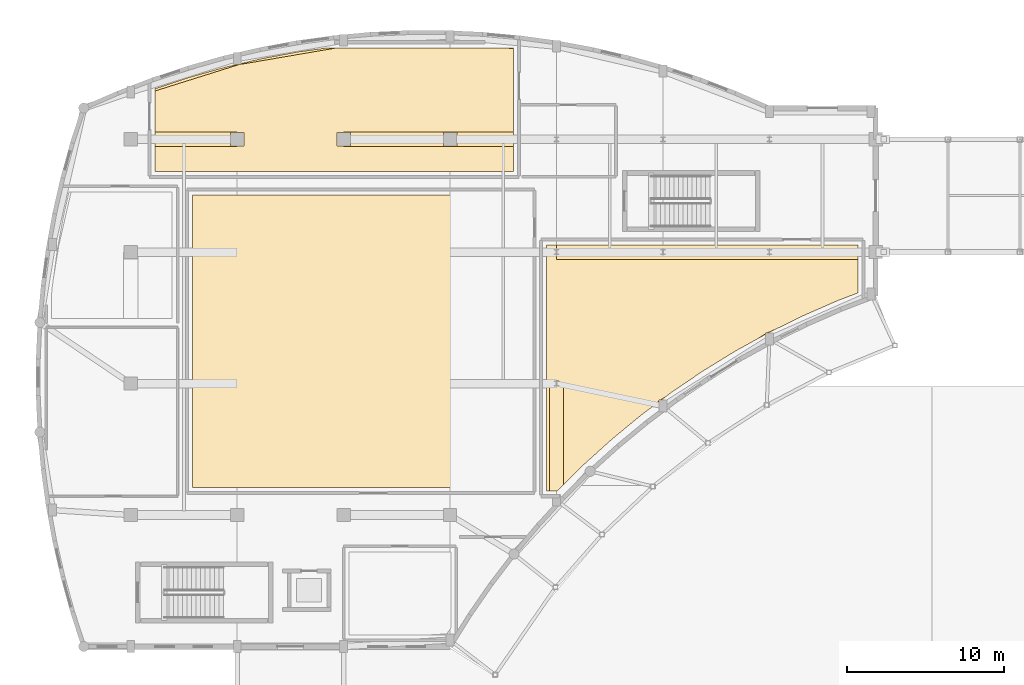
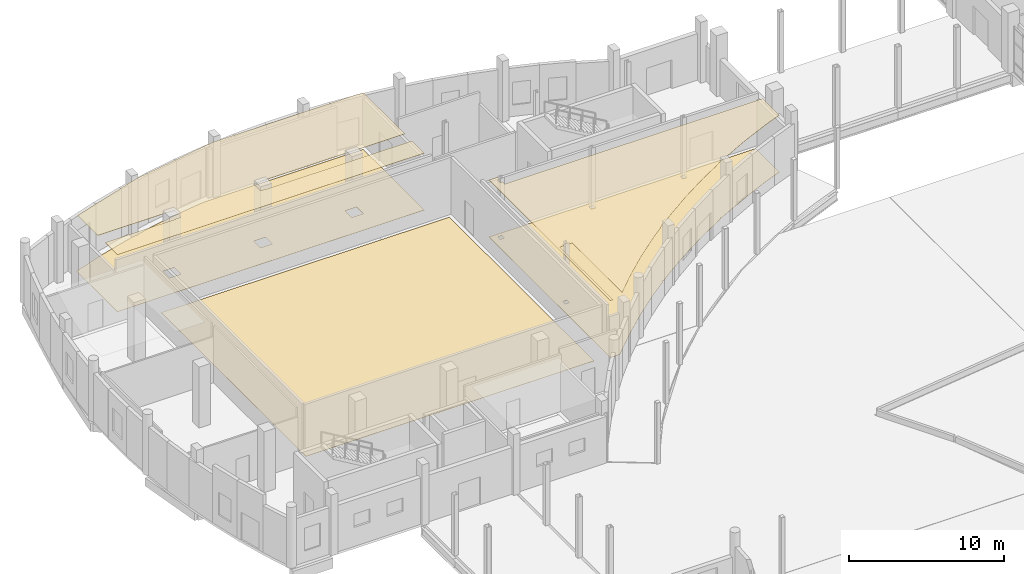
# One storey, part 86 of 97: 5 coverings.
"""IFC4 building model written with IfcOpenShell, lengths in metres."""

from ifc_helpers import new_model, si_unit, direction, frame, origin, place, context, subcontext, project, spatial, polyline, outline, extrude, material, layer, layer_set, type_object, element, save


model = new_model("IFC4")

# Units and contexts
model_context = context("Model", 3, precision=1e-05, world=origin(), true_north=direction((0.0, 1.0)))
body_context = subcontext(model_context, "Body", "Model", "MODEL_VIEW")
ifc_project = project(units=[si_unit("LENGTHUNIT", "METRE"), si_unit("AREAUNIT", "SQUARE_METRE"), si_unit("VOLUMEUNIT", "CUBIC_METRE"), si_unit("PLANEANGLEUNIT", "RADIAN"), si_unit("MASSUNIT", "GRAM", prefix="KILO")], contexts=[model_context])

# Site, building, storey
site_placement = place(None, origin())
site = spatial("IfcSite", under=ifc_project, at=site_placement, CompositionType="ELEMENT")
building_placement = place(site_placement, origin())
building = spatial("IfcBuilding", under=site, at=building_placement, Name="Kisaragi Civic Commons", CompositionType="ELEMENT")
storey_placement = place(building_placement, origin())
storey = spatial("IfcBuildingStorey", under=building, at=storey_placement, Name="L00", CompositionType="ELEMENT", Elevation=0.0)

# Coverings
ifc_material_1 = material(Name="Perforated mineral-fibre & hinoki slat acoustic ceiling")
ifc_layer_1 = layer(ifc_material_1, 0.02490234375, Name="Perforated mineral-fibre & hinoki slat acoustic ceiling")
ifc_layer_set_1 = layer_set([ifc_layer_1], Name="Perforated mineral-fibre & hinoki slat acoustic ceiling")
covering_type_1 = type_object("IfcCoveringType", Name="CLG-02", PredefinedType="CEILING", material=ifc_layer_set_1)
covering_1_placement = place(storey_placement, frame((0.0, 0.0, 4.48291015625)))
element("IfcCovering", 1, at=covering_1_placement, inside=storey, type_object=covering_type_1, Name="Table Tennis and Martial Arts Room acoustic ceiling", PredefinedType="CEILING", context=body_context, shape_type="SweptSolid", body=[
    extrude(outline(polyline([(34.0, 104.85009765625), (33.35009765625, 104.85009765625), (33.35009765625, 89.14990234375), (33.5400390625, 89.14990234375), (33.5400390625, 96.0), (33.844970703125, 96.0), (33.844970703125, 96.155029296875), (34.155029296875, 96.155029296875), (34.155029296875, 96.0), (34.4599609375, 96.0), (34.4599609375, 89.549072265625), (35.738525390625, 90.816650390625), (35.75244140625, 90.829833984375), (37.535888671875, 92.442138671875), (37.550537109375, 92.45458984375), (39.406494140625, 93.983154296875), (39.421630859375, 93.994873046875), (40.201904296875, 94.57958984375), (40.526123046875, 94.870361328125), (40.544921875, 94.849365234375), (40.544921875, 94.945068359375), (40.634033203125, 94.945068359375), (40.988525390625, 95.168701171875), (41.345947265625, 95.436279296875), (41.361572265625, 95.447509765625), (43.3505859375, 96.798583984375), (43.366455078125, 96.80908203125), (45.41552734375, 98.067138671875), (45.431884765625, 98.07666015625), (46.80615234375, 98.835693359375), (47.344970703125, 99.17529296875), (47.344970703125, 99.231201171875), (47.445556640625, 99.231201171875), (48.150634765625, 99.54248046875), (49.709716796875, 100.31201171875), (49.72705078125, 100.320068359375), (51.929931640625, 101.28369140625), (51.947509765625, 101.291015625), (53.202880859375, 101.772705078125), (53.25, 101.79345703125), (53.25, 103.93994140625), (47.60009765625, 103.93994140625), (40.800048828125, 103.93994140625), (34.0, 103.93994140625), (34.0, 104.2451171875), (33.844970703125, 104.2451171875), (33.844970703125, 104.554931640625), (34.0, 104.554931640625), (34.0, 104.85009765625)])), origin(), (0.0, 0.0, 1.0), 0.025146484375),
])
covering_2_placement = place(storey_placement, frame((0.0, 0.0, 4.48291015625)))
element("IfcCovering", 2, at=covering_2_placement, inside=storey, type_object=covering_type_1, Name="Community Judo and Aikido Dojo acoustic ceiling", PredefinedType="CEILING", context=body_context, shape_type="SweptSolid", body=[
    extrude(outline(polyline([(8.35009765625, 111.139892578125), (8.35009765625, 109.550048828125), (31.25, 109.550048828125), (31.25, 111.139892578125), (27.199951171875, 111.139892578125), (20.39990234375, 111.139892578125), (20.39990234375, 111.169921875), (19.969970703125, 111.169921875), (19.969970703125, 112.030029296875), (20.39990234375, 112.030029296875), (20.39990234375, 112.06005859375), (27.199951171875, 112.06005859375), (31.25, 112.06005859375), (31.25, 117.39404296875), (30.657470703125, 117.449951171875), (20.001953125, 117.449951171875), (13.85498046875, 116.39794921875), (13.85498046875, 116.390380859375), (13.81005859375, 116.390380859375), (13.696533203125, 116.370849609375), (8.35009765625, 114.688720703125), (8.35009765625, 112.06005859375), (13.60009765625, 112.06005859375), (13.60009765625, 112.030029296875), (14.030029296875, 112.030029296875), (14.030029296875, 111.169921875), (13.60009765625, 111.169921875), (13.60009765625, 111.139892578125), (8.35009765625, 111.139892578125)])), origin(), (0.0, 0.0, 1.0), 0.025146484375),
])
ifc_material_2 = material(Name="Honed Mino ceramic tile & resilience acoustic flooring")
ifc_layer_2 = layer(ifc_material_2, 0.01611328125, Name="Honed Mino ceramic tile & resilience acoustic flooring")
ifc_layer_set_2 = layer_set([ifc_layer_2], Name="Honed Mino ceramic tile & resilience acoustic flooring")
covering_type_2 = type_object("IfcCoveringType", Name="FLR-02", PredefinedType="FLOORING", material=ifc_layer_set_2)
covering_3_placement = place(storey_placement, origin())
element("IfcCovering", 3, at=covering_3_placement, inside=storey, type_object=covering_type_2, Name="Table Tennis and Martial Arts Room floor finish", PredefinedType="FLOORING", context=body_context, shape_type="SweptSolid", body=[
    extrude(outline(polyline([(33.35009765625, 104.85009765625), (33.35009765625, 89.14990234375), (34.0576171875, 89.14990234375), (35.738525390625, 90.816650390625), (35.75244140625, 90.829833984375), (37.535888671875, 92.442138671875), (37.550537109375, 92.45458984375), (39.406494140625, 93.983154296875), (39.421630859375, 93.994873046875), (40.544921875, 94.83642578125), (40.544921875, 94.945068359375), (40.690185546875, 94.945068359375), (41.345947265625, 95.436279296875), (41.361572265625, 95.447509765625), (43.3505859375, 96.798583984375), (43.366455078125, 96.80908203125), (45.41552734375, 98.067138671875), (45.431884765625, 98.07666015625), (47.344970703125, 99.13330078125), (47.344970703125, 99.231201171875), (47.522705078125, 99.231201171875), (47.53662109375, 99.239013671875), (47.5537109375, 99.247802734375), (49.709716796875, 100.31201171875), (49.72705078125, 100.320068359375), (51.929931640625, 101.28369140625), (51.947509765625, 101.291015625), (53.25, 101.790771484375), (53.25, 104.85009765625), (33.35009765625, 104.85009765625)]), holes=[polyline([(34.155029296875, 95.844970703125), (33.844970703125, 95.844970703125), (33.844970703125, 96.155029296875), (34.155029296875, 96.155029296875), (34.155029296875, 95.844970703125)]), polyline([(34.155029296875, 104.2451171875), (33.844970703125, 104.2451171875), (33.844970703125, 104.554931640625), (34.155029296875, 104.554931640625), (34.155029296875, 104.2451171875)]), polyline([(47.7548828125, 104.2451171875), (47.445068359375, 104.2451171875), (47.445068359375, 104.554931640625), (47.7548828125, 104.554931640625), (47.7548828125, 104.2451171875)]), polyline([(40.955078125, 104.2451171875), (40.64501953125, 104.2451171875), (40.64501953125, 104.554931640625), (40.955078125, 104.554931640625), (40.955078125, 104.2451171875)])]), origin(), (0.0, 0.0, 1.0), 0.01611328125),
])
covering_4_placement = place(storey_placement, origin())
element("IfcCovering", 4, at=covering_4_placement, inside=storey, type_object=covering_type_2, Name="Sports Hall floor finish", PredefinedType="FLOORING", context=body_context, shape_type="SweptSolid", body=[
    extrude(outline(polyline([(32.25, 89.35009765625), (32.25, 108.050048828125), (10.75, 108.050048828125), (10.75, 89.35009765625), (32.25, 89.35009765625)])), origin(), (0.0, 0.0, 1.0), 0.01611328125),
])
covering_5_placement = place(storey_placement, origin())
element("IfcCovering", 5, at=covering_5_placement, inside=storey, type_object=covering_type_2, Name="Community Judo and Aikido Dojo floor finish", PredefinedType="FLOORING", context=body_context, shape_type="SweptSolid", body=[
    extrude(outline(polyline([(8.35009765625, 109.550048828125), (31.25, 109.550048828125), (31.25, 117.449951171875), (19.394287109375, 117.449951171875), (17.50146484375, 117.1884765625), (15.1884765625, 116.76025390625), (13.85498046875, 116.44970703125), (13.85498046875, 116.390380859375), (13.599609375, 116.390380859375), (12.8974609375, 116.226806640625), (10.63330078125, 115.589111328125), (8.400634765625, 114.848388671875), (8.35009765625, 114.8291015625), (8.35009765625, 109.550048828125)]), holes=[polyline([(14.030029296875, 111.169921875), (13.169921875, 111.169921875), (13.169921875, 112.030029296875), (14.030029296875, 112.030029296875), (14.030029296875, 111.169921875)]), polyline([(20.830078125, 111.169921875), (19.969970703125, 111.169921875), (19.969970703125, 112.030029296875), (20.830078125, 112.030029296875), (20.830078125, 111.169921875)]), polyline([(27.6298828125, 111.169921875), (26.77001953125, 111.169921875), (26.77001953125, 112.030029296875), (27.6298828125, 112.030029296875), (27.6298828125, 111.169921875)])]), origin(), (0.0, 0.0, 1.0), 0.01611328125),
])

save(model, "model.ifc")
